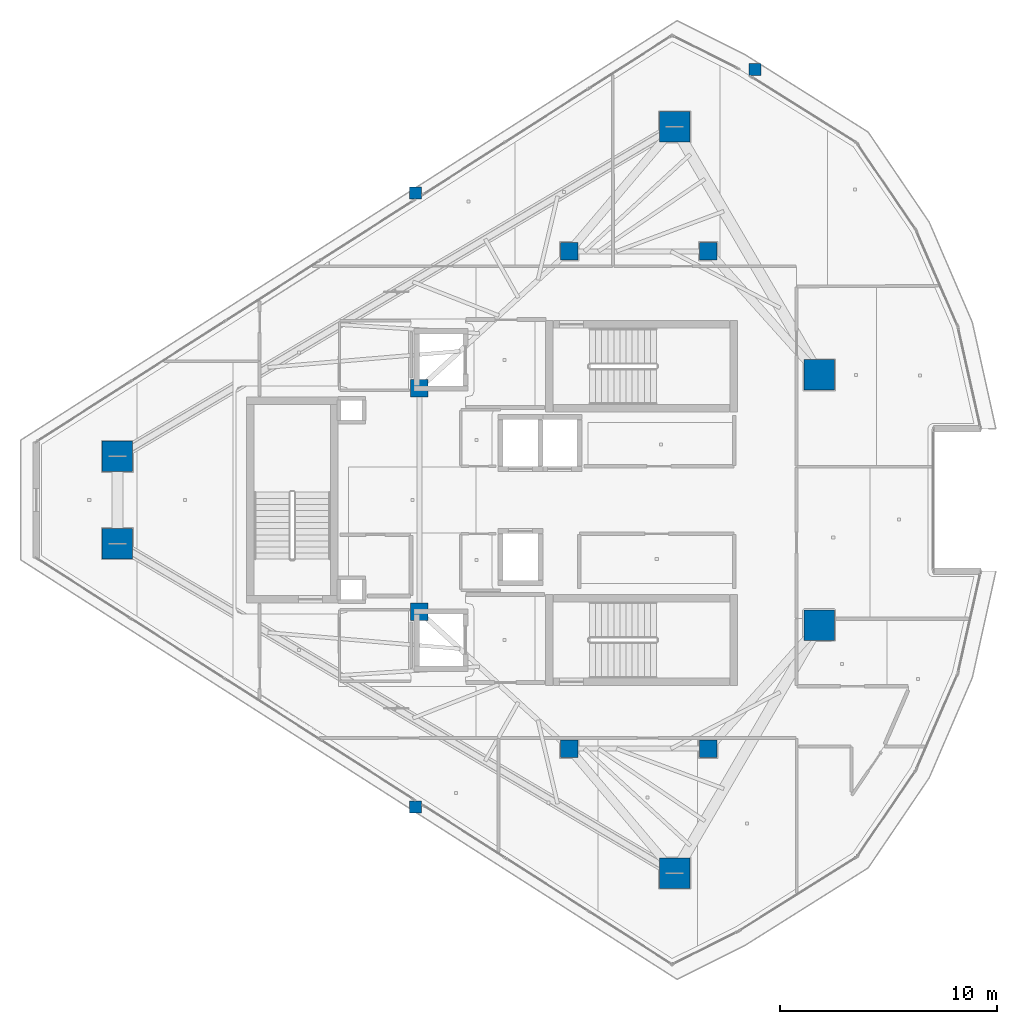
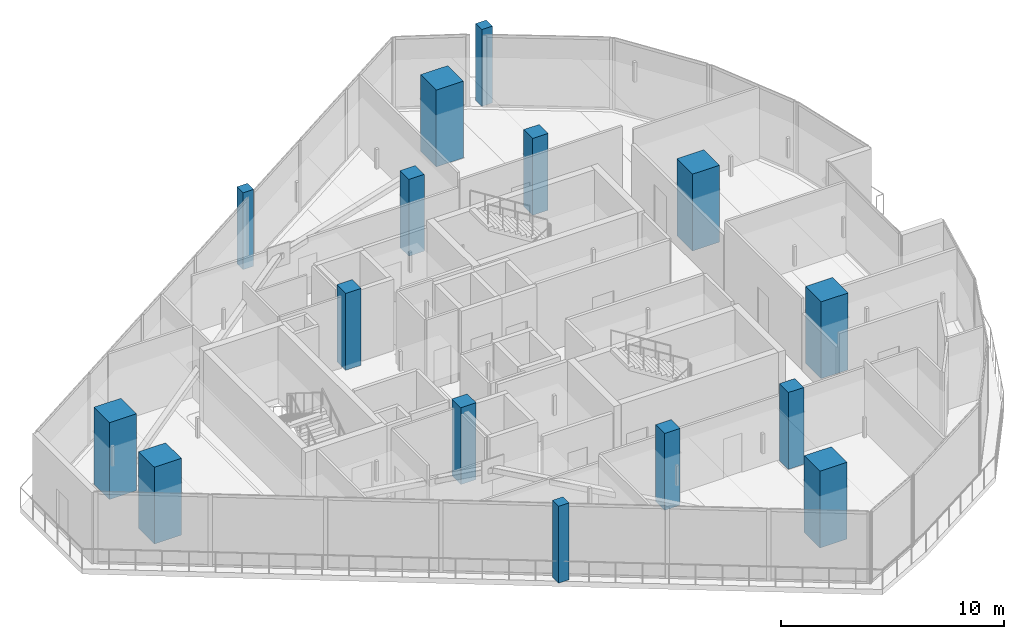
# One storey, part 1 of 25: 15 columns.
"""IFC4 building model written with IfcOpenShell, lengths in metres."""

from ifc_helpers import new_model, si_unit, direction, frame, origin, origin_2d, place, context, subcontext, project, spatial, rectangle, extrude, material, material_profile, profile_set, type_object, element, save


model = new_model("IFC4")

# Units and contexts
model_context = context("Model", 3, precision=1e-05, world=origin(), true_north=direction((0.0, 1.0)))
body_context = subcontext(model_context, "Body", "Model", "MODEL_VIEW")
ifc_project = project(units=[si_unit("LENGTHUNIT", "METRE"), si_unit("AREAUNIT", "SQUARE_METRE"), si_unit("VOLUMEUNIT", "CUBIC_METRE"), si_unit("PLANEANGLEUNIT", "RADIAN"), si_unit("MASSUNIT", "GRAM", prefix="KILO")], contexts=[model_context])

# Site, building, storey
site_placement = place(None, origin())
site = spatial("IfcSite", under=ifc_project, at=site_placement, CompositionType="ELEMENT")
building_placement = place(site_placement, origin())
building = spatial("IfcBuilding", under=site, at=building_placement, Name="Qorvath Tower", CompositionType="ELEMENT")
storey_placement = place(building_placement, frame((0.0, 0.0, 314.39990234375)))
storey = spatial("IfcBuildingStorey", under=building, at=storey_placement, Name="L73", CompositionType="ELEMENT", Elevation=314.39990234375)

# Columns
ifc_material_1 = material(Name="Concrete C50/60", Category="concrete")
ifc_material_profile_1 = material_profile(ifc_material_1, rectangle(XDim=1.39990234375, YDim=1.39990234375, at=origin_2d()), Name="MC 1400x1400")
ifc_profile_set_1 = profile_set([ifc_material_profile_1], Name="Concrete C50/60")
column_type_1 = type_object("IfcColumnType", Name="COL-MC6", PredefinedType="COLUMN", material=ifc_profile_set_1)
for number, where, z_axis, x_axis, name in (
    (1, (-44.402587890625, 2.007568359375, 0.0), (0.0, 0.0, 1.0), (1.0, 0.0, 0.0), "Composite Mega-Column MC1 L73"),
    (2, (-44.402587890625, -2.007568359375, 0.0), (0.0, 0.0, 1.0), (1.0, 0.0, 0.0), "Composite Mega-Column MC2 L73"),
    (3, (-18.75048828125, -17.175537109375, 0.0), (0.0, 0.0, 1.0), (1.0, 0.0, 0.0), "Composite Mega-Column MC3 L73"),
    (4, (-12.0966796875, -5.7578125, 0.0), (0.0, 0.0, 1.0), (1.0, 0.0, 0.0), "Composite Mega-Column MC4 L73"),
    (5, (-12.0966796875, 5.7578125, 0.0), (0.0, 0.0, 1.0), (1.0, 0.0, 0.0), "Composite Mega-Column MC5 L73"),
    (6, (-18.75048828125, 17.175537109375, 0.0), (0.0, 0.0, 1.0), (1.0, 0.0, 0.0), "Composite Mega-Column MC6 L73"),
):
    element("IfcColumn", number, at=place(storey_placement, frame(where, z_axis=z_axis, x_axis=x_axis)), inside=storey, type_object=column_type_1, Name=name, PredefinedType="COLUMN", context=body_context, shape_type="SweptSolid", body=[
        extrude(rectangle(XDim=1.39990234375, YDim=1.39990234375, at=origin_2d()), origin(), (0.0, 0.0, 1.0), 4.2001953125),
    ])
ifc_material_2 = material(Name="Concrete C50/60", Category="concrete")
ifc_material_profile_2 = material_profile(ifc_material_2, rectangle(XDim=0.800048828125, YDim=0.800048828125, at=origin_2d()), Name="RC 800x800")
ifc_profile_set_2 = profile_set([ifc_material_profile_2], Name="Concrete C50/60")
column_type_2 = type_object("IfcColumnType", Name="COL-RC4", PredefinedType="COLUMN", material=ifc_profile_set_2)
for number, where, z_axis, x_axis, name in (
    (7, (-23.60009765625, 11.449951171875, 0.0), (0.0, 0.0, 1.0), (1.0, 0.0, 0.0), "Core Spine Column CC1 L73"),
    (8, (-17.199951171875, 11.449951171875, 0.0), (0.0, 0.0, 1.0), (1.0, 0.0, 0.0), "Core Spine Column CC2 L73"),
    (9, (-17.199951171875, -11.449951171875, 0.0), (0.0, 0.0, 1.0), (1.0, 0.0, 0.0), "Core Spine Column CC3 L73"),
    (10, (-23.60009765625, -11.449951171875, 0.0), (0.0, 0.0, 1.0), (1.0, 0.0, 0.0), "Core Spine Column CC4 L73"),
    (11, (-30.5, 5.14990234375, 0.0), (0.0, 0.0, 1.0), (1.0, 0.0, 0.0), "Core Spine Column CC5 L73"),
    (12, (-30.5, -5.14990234375, 0.0), (0.0, 0.0, 1.0), (1.0, 0.0, 0.0), "Core Spine Column CC6 L73"),
):
    element("IfcColumn", number, at=place(storey_placement, frame(where, z_axis=z_axis, x_axis=x_axis)), inside=storey, type_object=column_type_2, Name=name, PredefinedType="COLUMN", context=body_context, shape_type="SweptSolid", body=[
        extrude(rectangle(XDim=0.800048828125, YDim=0.800048828125, at=origin_2d()), origin(), (0.0, 0.0, 1.0), 4.2001953125),
    ])
ifc_material_3 = material(Name="Concrete C45/55", Category="concrete")
ifc_material_profile_3 = material_profile(ifc_material_3, rectangle(XDim=0.550048828125, YDim=0.550048828125, at=origin_2d()), Name="RC 550x550")
ifc_profile_set_3 = profile_set([ifc_material_profile_3], Name="Concrete C45/55")
column_type_3 = type_object("IfcColumnType", Name="COL-RC7", PredefinedType="COLUMN", material=ifc_profile_set_3)
for number, where, z_axis, x_axis, name in (
    (13, (-30.67724609375, 14.124267578125, 0.0), (0.0, 0.0, 1.0), (1.0, 0.0, 0.0), "Loggia Frame Pier Column LGH1 L73"),
    (14, (-30.67724609375, -14.124267578125, 0.0), (0.0, 0.0, 1.0), (1.0, 0.0, 0.0), "Loggia Frame Pier Column LGH2 L73"),
    (15, (-15.046142578125, 19.818115234375, 0.0), (0.0, 0.0, 1.0), (1.0, 0.0, 0.0), "Loggia Frame Pier Column LGH3 L73"),
):
    element("IfcColumn", number, at=place(storey_placement, frame(where, z_axis=z_axis, x_axis=x_axis)), inside=storey, type_object=column_type_3, Name=name, PredefinedType="COLUMN", context=body_context, shape_type="SweptSolid", body=[
        extrude(rectangle(XDim=0.550048828125, YDim=0.550048828125, at=origin_2d()), origin(), (0.0, 0.0, 1.0), 4.2001953125),
    ])

save(model, "model.ifc")
